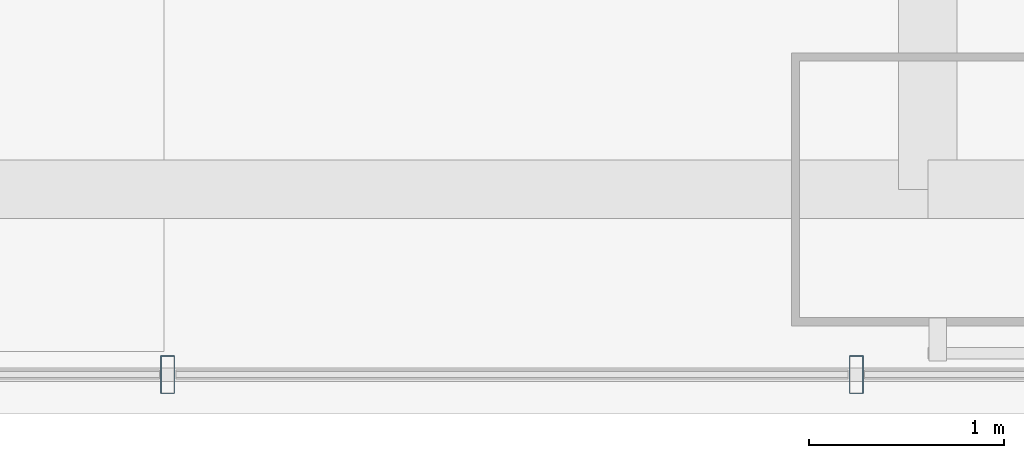
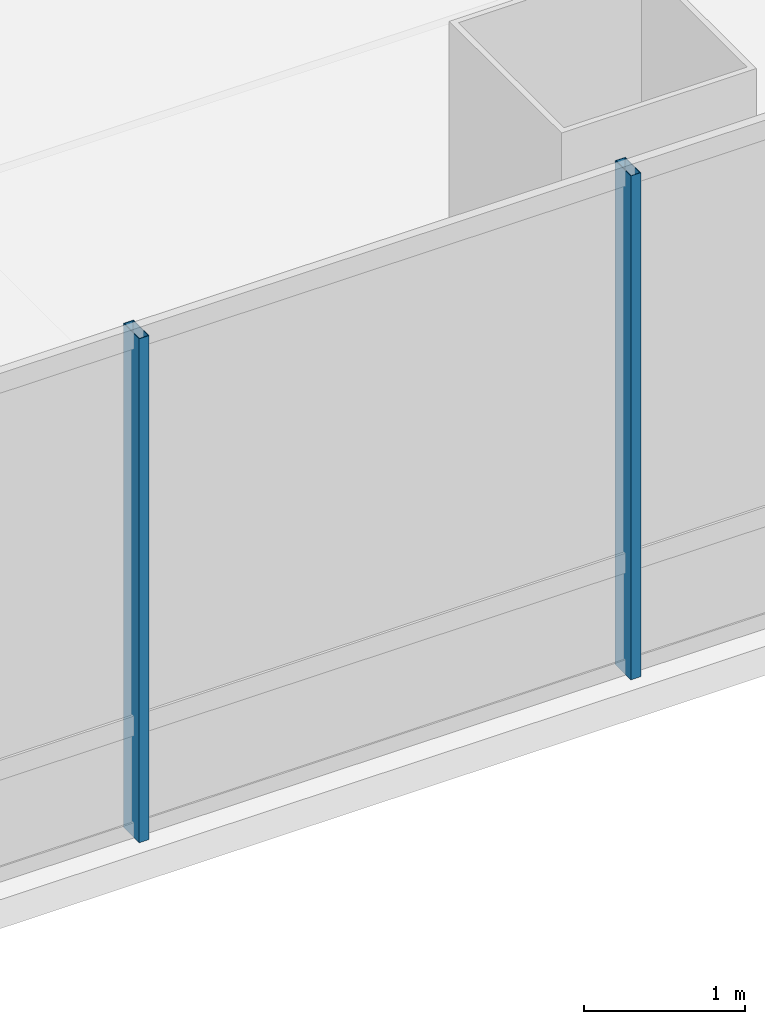
# One storey, part 7 of 38: 2 members, 1 element without a shape of its own.
"""IFC4 building model written with IfcOpenShell, lengths in metres."""

from ifc_helpers import new_model, si_unit, direction, frame, origin, origin_2d, place, context, subcontext, project, spatial, hollow_rectangle, extrude, material, material_profile, profile_set, type_object, element, aggregate, save


model = new_model("IFC4")

# Units and contexts
model_context = context("Model", 3, precision=1e-05, world=origin(), true_north=direction((0.0, 1.0)))
body_context = subcontext(model_context, "Body", "Model", "MODEL_VIEW")
ifc_project = project(units=[si_unit("LENGTHUNIT", "METRE"), si_unit("AREAUNIT", "SQUARE_METRE"), si_unit("VOLUMEUNIT", "CUBIC_METRE"), si_unit("PLANEANGLEUNIT", "RADIAN"), si_unit("MASSUNIT", "GRAM", prefix="KILO")], contexts=[model_context])

# Site, building, storey
site_placement = place(None, origin())
site = spatial("IfcSite", under=ifc_project, at=site_placement, CompositionType="ELEMENT")
building_placement = place(site_placement, origin())
building = spatial("IfcBuilding", under=site, at=building_placement, Name="Punatoya Terracotta Tower", CompositionType="ELEMENT")
storey_placement = place(building_placement, frame((0.0, 0.0, 143.85009765625)))
storey = spatial("IfcBuildingStorey", under=building, at=storey_placement, Name="L33", CompositionType="ELEMENT", Elevation=143.85009765625)

# Curtain wall, members
ifc_material_1 = material(Name="Aluminium 6063-T6 + Double Low-E Glass", Category="aluminium")
curtain_wall_type = type_object("IfcCurtainWallType", Name="CW-M2", PredefinedType="NOTDEFINED", material=ifc_material_1)
curtain_wall_placement = place(storey_placement, origin())
curtain_wall = element("IfcCurtainWall", 1, at=curtain_wall_placement, inside=storey, type_object=curtain_wall_type, Name="L33 Curtain Wall CW-L33-S01-1", PredefinedType="NOTDEFINED")
ifc_material_2 = material(Name="Aluminium 6063-T6", Category="aluminium")
ifc_material_profile = material_profile(ifc_material_2, hollow_rectangle(XDim=0.072021484375, YDim=0.195068359375, WallThickness=0.00439453125, at=origin_2d()))
ifc_profile_set = profile_set([ifc_material_profile], Name="Aluminium 6063-T6")
member_type = type_object("IfcMemberType", Name="CW-MUL-M2", PredefinedType="MULLION", material=ifc_profile_set)
member_1_placement = place(storey_placement, frame((-7.700927734375, -18.449951171875, 0.0), z_axis=(0.0, 0.0, 1.0), x_axis=(1.0, 0.0, 0.0)))
member_1 = element("IfcMember", 2, at=member_1_placement, type_object=member_type, Name="CW-L33-S01-1 Mullion 04", PredefinedType="MULLION", context=body_context, shape_type="SweptSolid", body=[
    extrude(hollow_rectangle(XDim=0.072021484375, YDim=0.195068359375, WallThickness=0.00439453125, at=origin_2d()), origin(), (0.0, 0.0, 1.0), 3.829833984375),
])
member_2_placement = place(storey_placement, frame((-4.1669921875, -18.449951171875, 0.0), z_axis=(0.0, 0.0, 1.0), x_axis=(1.0, 0.0, 0.0)))
member_2 = element("IfcMember", 3, at=member_2_placement, type_object=member_type, Name="CW-L33-S01-1 Mullion 05", PredefinedType="MULLION", context=body_context, shape_type="SweptSolid", body=[
    extrude(hollow_rectangle(XDim=0.072021484375, YDim=0.195068359375, WallThickness=0.00439453125, at=origin_2d()), origin(), (0.0, 0.0, 1.0), 3.829833984375),
])
aggregate(curtain_wall, [member_1, member_2])

save(model, "model.ifc")
